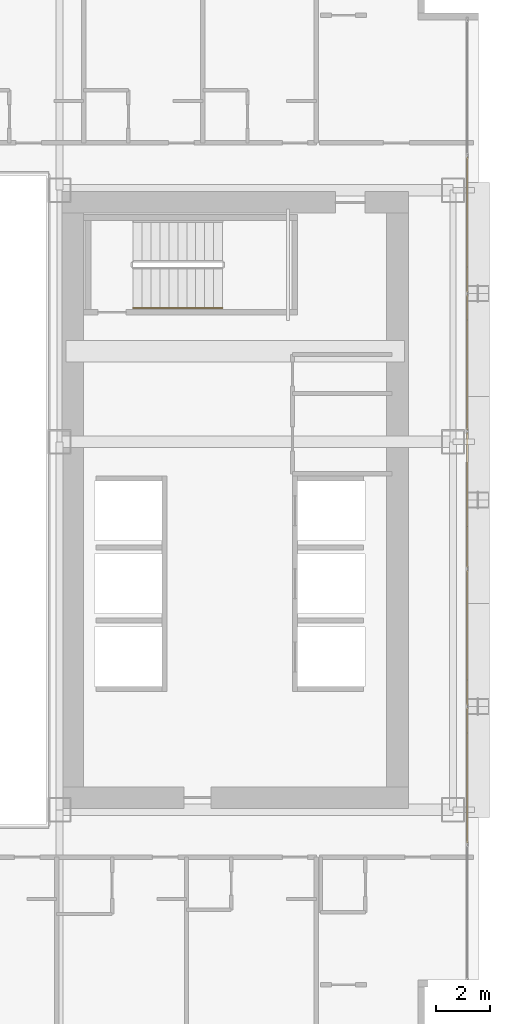
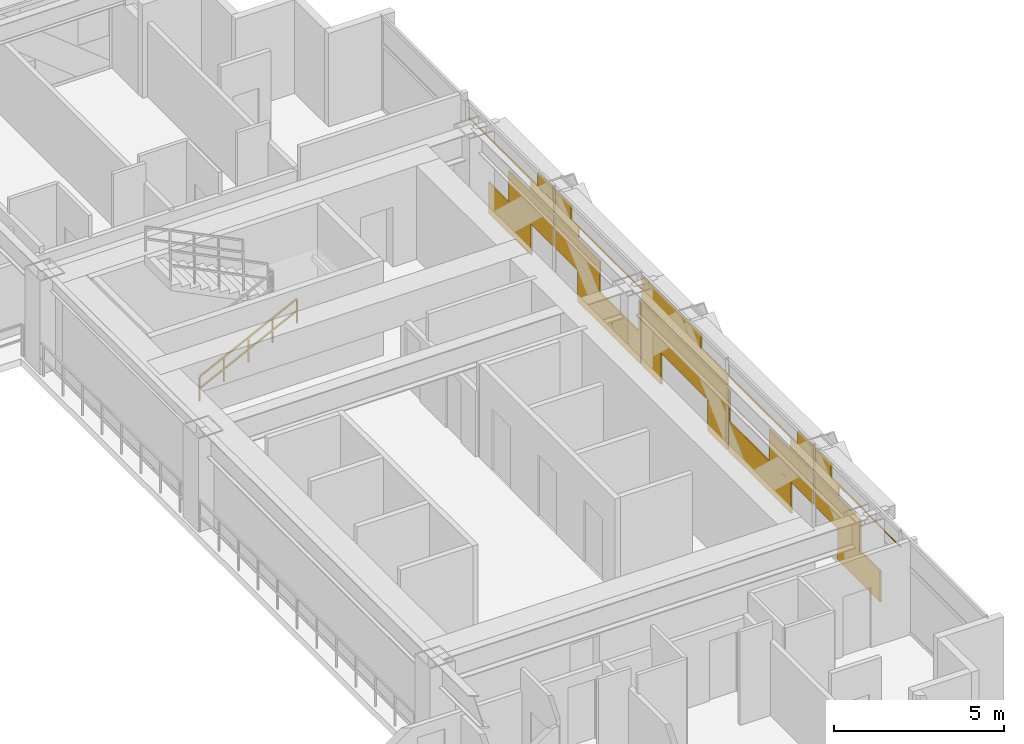
# One storey, part 35 of 36: 1 covering, 1 railing.
"""IFC4 building model written with IfcOpenShell, lengths in metres."""

from ifc_helpers import new_model, si_unit, direction, frame, origin, origin_2d, place, context, subcontext, project, spatial, rectangle, extrude, material, layer, layer_set, type_object, element, save


model = new_model("IFC4")

# Units and contexts
model_context = context("Model", 3, precision=1e-05, world=origin(), true_north=direction((0.0, 1.0)))
body_context = subcontext(model_context, "Body", "Model", "MODEL_VIEW")
ifc_project = project(units=[si_unit("LENGTHUNIT", "METRE"), si_unit("AREAUNIT", "SQUARE_METRE"), si_unit("VOLUMEUNIT", "CUBIC_METRE"), si_unit("PLANEANGLEUNIT", "RADIAN"), si_unit("MASSUNIT", "GRAM", prefix="KILO")], contexts=[model_context])

# Site, building, storey
site_placement = place(None, origin())
site = spatial("IfcSite", under=ifc_project, at=site_placement, CompositionType="ELEMENT")
building_placement = place(site_placement, origin())
building = spatial("IfcBuilding", under=site, at=building_placement, Name="Ocotamira Hotel", CompositionType="ELEMENT")
storey_placement = place(building_placement, frame((0.0, 0.0, 42.0)))
storey = spatial("IfcBuildingStorey", under=building, at=storey_placement, Name="L09", CompositionType="ELEMENT", Elevation=42.0)

# Covering
ifc_material_1 = material(Name="Insulated pale-metal aluminium spandrel panel", Category="aluminium")
ifc_layer = layer(ifc_material_1, 0.044921875)
ifc_layer_set = layer_set([ifc_layer], Name="Insulated pale-metal aluminium spandrel panel")
covering_type = type_object("IfcCoveringType", Name="COV-INFILL-45", PredefinedType="CLADDING", material=ifc_layer_set)
covering_placement = place(storey_placement, origin())
element("IfcCovering", 1, at=covering_placement, inside=storey, type_object=covering_type, Name="L09 Curtain Wall Infill CW-2 CW-L09-E", PredefinedType="CLADDING", context=body_context, shape_type="SweptSolid", body=[
    extrude(rectangle(XDim=2.49658203125, YDim=0.044921875, at=origin_2d()), frame((55.580078125, 15.752685546875, 0.07568359375), z_axis=(0.0, 0.0, 1.0), x_axis=(0.0, 1.0, 0.0)), (0.0, 0.0, 1.0), 1.11767578125),
    extrude(rectangle(XDim=2.640625, YDim=0.044921875, at=origin_2d()), frame((55.580078125, 17.010498046875, 1.1943359375), z_axis=(0.0, 0.0, 1.0), x_axis=(0.0, 1.0, 0.0)), (0.0, 0.0, 1.0), 1.11767578125),
    extrude(rectangle(XDim=5.004638671875, YDim=0.044921875, at=origin_2d()), frame((55.580078125, 15.82861328125, 2.756103515625), z_axis=(0.0, 0.0, 1.0), x_axis=(0.0, 1.0, 0.0)), (0.0, 0.0, 1.0), 0.033203125),
    extrude(rectangle(XDim=1.375, YDim=0.044921875, at=origin_2d()), frame((55.580078125, 17.643310546875, 2.38818359375), z_axis=(0.0, 0.0, 1.0), x_axis=(0.0, 1.0, 0.0)), (0.0, 0.0, 1.0), 0.366943359375),
    extrude(rectangle(XDim=0.948486328125, YDim=0.044921875, at=origin_2d()), frame((55.580078125, 17.856689453125, 2.79052734375), z_axis=(0.0, 0.0, 1.0), x_axis=(0.0, 1.0, 0.0)), (0.0, 0.0, 1.0), 0.484130859375),
    extrude(rectangle(XDim=2.631103515625, YDim=0.044921875, at=origin_2d()), frame((55.580078125, 19.727294921875, 1.1943359375), z_axis=(0.0, 0.0, 1.0), x_axis=(0.0, 1.0, 0.0)), (0.0, 0.0, 1.0), 1.11767578125),
    extrude(rectangle(XDim=3.684326171875, YDim=0.044921875, at=origin_2d()), frame((55.580078125, 21.574462890625, 0.07568359375), z_axis=(0.0, 0.0, 1.0), x_axis=(0.0, 1.0, 0.0)), (0.0, 0.0, 1.0), 1.11767578125),
    extrude(rectangle(XDim=0.093017578125, YDim=0.044921875, at=origin_2d()), frame((55.580078125, 23.3701171875, 1.1943359375), z_axis=(0.0, 0.0, 1.0), x_axis=(0.0, 1.0, 0.0)), (0.0, 0.0, 1.0), 1.11767578125),
    extrude(rectangle(XDim=1.365478515625, YDim=0.044921875, at=origin_2d()), frame((55.580078125, 19.094482421875, 2.38818359375), z_axis=(0.0, 0.0, 1.0), x_axis=(0.0, 1.0, 0.0)), (0.0, 0.0, 1.0), 0.366943359375),
    extrude(rectangle(XDim=5.004638671875, YDim=0.044921875, at=origin_2d()), frame((55.580078125, 20.914306640625, 2.756103515625), z_axis=(0.0, 0.0, 1.0), x_axis=(0.0, 1.0, 0.0)), (0.0, 0.0, 1.0), 0.033203125),
    extrude(rectangle(XDim=0.93896484375, YDim=0.044921875, at=origin_2d()), frame((55.580078125, 18.88134765625, 2.79052734375), z_axis=(0.0, 0.0, 1.0), x_axis=(0.0, 1.0, 0.0)), (0.0, 0.0, 1.0), 0.484130859375),
    extrude(rectangle(XDim=1.13671875, YDim=0.044921875, at=origin_2d()), frame((55.580078125, 24.06591796875, 0.07568359375), z_axis=(0.0, 0.0, 1.0), x_axis=(0.0, 1.0, 0.0)), (0.0, 0.0, 1.0), 1.11767578125),
    extrude(rectangle(XDim=5.004638671875, YDim=0.044921875, at=origin_2d()), frame((55.580078125, 26.0, 1.1943359375), z_axis=(0.0, 0.0, 1.0), x_axis=(0.0, 1.0, 0.0)), (0.0, 0.0, 1.0), 1.11767578125),
    extrude(rectangle(XDim=1.13671875, YDim=0.044921875, at=origin_2d()), frame((55.580078125, 27.93408203125, 0.07568359375), z_axis=(0.0, 0.0, 1.0), x_axis=(0.0, 1.0, 0.0)), (0.0, 0.0, 1.0), 1.11767578125),
    extrude(rectangle(XDim=5.004638671875, YDim=0.044921875, at=origin_2d()), frame((55.580078125, 26.0, 2.387939453125), z_axis=(0.0, 0.0, 1.0), x_axis=(0.0, 1.0, 0.0)), (0.0, 0.0, 1.0), 0.4013671875),
    extrude(rectangle(XDim=3.486572265625, YDim=0.044921875, at=origin_2d()), frame((55.580078125, 26.759033203125, 2.79052734375), z_axis=(0.0, 0.0, 1.0), x_axis=(0.0, 1.0, 0.0)), (0.0, 0.0, 1.0), 0.484130859375),
    extrude(rectangle(XDim=3.684326171875, YDim=0.044921875, at=origin_2d()), frame((55.580078125, 30.425537109375, 0.07568359375), z_axis=(0.0, 0.0, 1.0), x_axis=(0.0, 1.0, 0.0)), (0.0, 0.0, 1.0), 1.11767578125),
    extrude(rectangle(XDim=0.093017578125, YDim=0.044921875, at=origin_2d()), frame((55.580078125, 28.6298828125, 1.1943359375), z_axis=(0.0, 0.0, 1.0), x_axis=(0.0, 1.0, 0.0)), (0.0, 0.0, 1.0), 1.11767578125),
    extrude(rectangle(XDim=2.631103515625, YDim=0.044921875, at=origin_2d()), frame((55.580078125, 32.272705078125, 1.1943359375), z_axis=(0.0, 0.0, 1.0), x_axis=(0.0, 1.0, 0.0)), (0.0, 0.0, 1.0), 1.11767578125),
    extrude(rectangle(XDim=5.004638671875, YDim=0.044921875, at=origin_2d()), frame((55.580078125, 31.085693359375, 2.756103515625), z_axis=(0.0, 0.0, 1.0), x_axis=(0.0, 1.0, 0.0)), (0.0, 0.0, 1.0), 0.033203125),
    extrude(rectangle(XDim=1.365478515625, YDim=0.044921875, at=origin_2d()), frame((55.580078125, 32.905517578125, 2.38818359375), z_axis=(0.0, 0.0, 1.0), x_axis=(0.0, 1.0, 0.0)), (0.0, 0.0, 1.0), 0.366943359375),
    extrude(rectangle(XDim=0.93896484375, YDim=0.044921875, at=origin_2d()), frame((55.580078125, 33.11865234375, 2.79052734375), z_axis=(0.0, 0.0, 1.0), x_axis=(0.0, 1.0, 0.0)), (0.0, 0.0, 1.0), 0.484130859375),
    extrude(rectangle(XDim=2.640625, YDim=0.044921875, at=origin_2d()), frame((55.580078125, 34.989501953125, 1.1943359375), z_axis=(0.0, 0.0, 1.0), x_axis=(0.0, 1.0, 0.0)), (0.0, 0.0, 1.0), 1.11767578125),
    extrude(rectangle(XDim=2.49658203125, YDim=0.044921875, at=origin_2d()), frame((55.580078125, 36.247314453125, 0.07568359375), z_axis=(0.0, 0.0, 1.0), x_axis=(0.0, 1.0, 0.0)), (0.0, 0.0, 1.0), 1.11767578125),
    extrude(rectangle(XDim=1.375, YDim=0.044921875, at=origin_2d()), frame((55.580078125, 34.356689453125, 2.38818359375), z_axis=(0.0, 0.0, 1.0), x_axis=(0.0, 1.0, 0.0)), (0.0, 0.0, 1.0), 0.366943359375),
    extrude(rectangle(XDim=5.004638671875, YDim=0.044921875, at=origin_2d()), frame((55.580078125, 36.17138671875, 2.756103515625), z_axis=(0.0, 0.0, 1.0), x_axis=(0.0, 1.0, 0.0)), (0.0, 0.0, 1.0), 0.033203125),
    extrude(rectangle(XDim=0.948486328125, YDim=0.044921875, at=origin_2d()), frame((55.580078125, 34.143310546875, 2.79052734375), z_axis=(0.0, 0.0, 1.0), x_axis=(0.0, 1.0, 0.0)), (0.0, 0.0, 1.0), 0.484130859375),
])

# Railing
ifc_material_2 = material(Name="Brushed stainless steel handrail", Category="steel")
railing_type = type_object("IfcRailingType", Name="RL-HAND-900", PredefinedType="HANDRAIL", material=ifc_material_2)
railing_placement = place(storey_placement, frame((43.22998046875, 33.10009765625, 0.327392578125)))
element("IfcRailing", 2, at=railing_placement, inside=storey, type_object=railing_type, Name="L09 ST-4 stair handrail 1", PredefinedType="HANDRAIL", context=body_context, shape_type="SweptSolid", body=[
    extrude(rectangle(XDim=0.048095703125, YDim=0.048095703125, at=origin_2d()), frame((0.0, 0.0, 0.8759765625), z_axis=(0.895920123917, 0.0, 0.444215186098), x_axis=(0.0, 1.0, 0.0)), (0.0, 0.0, 1.0), 3.683349609375),
    extrude(rectangle(XDim=0.048095703125, YDim=0.048095703125, at=origin_2d()), frame((0.0, 0.0, 0.449951171875), z_axis=(0.895920123917, 0.0, 0.444215186098), x_axis=(0.0, 1.0, 0.0)), (0.0, 0.0, 1.0), 3.683349609375),
    extrude(rectangle(XDim=0.0419921875, YDim=0.0419921875, at=origin_2d()), origin(), (0.0, 0.0, 1.0), 0.851806640625),
    extrude(rectangle(XDim=0.0419921875, YDim=0.0419921875, at=origin_2d()), frame((0.824951171875, 0.0, 0.4091796875)), (0.0, 0.0, 1.0), 0.851806640625),
    extrude(rectangle(XDim=0.0419921875, YDim=0.0419921875, at=origin_2d()), frame((1.64990234375, 0.0, 0.818115234375)), (0.0, 0.0, 1.0), 0.851806640625),
    extrude(rectangle(XDim=0.0419921875, YDim=0.0419921875, at=origin_2d()), frame((2.47509765625, 0.0, 1.22705078125)), (0.0, 0.0, 1.0), 0.851806640625),
    extrude(rectangle(XDim=0.0419921875, YDim=0.0419921875, at=origin_2d()), frame((3.300048828125, 0.0, 1.63623046875)), (0.0, 0.0, 1.0), 0.851806640625),
])

save(model, "model.ifc")
